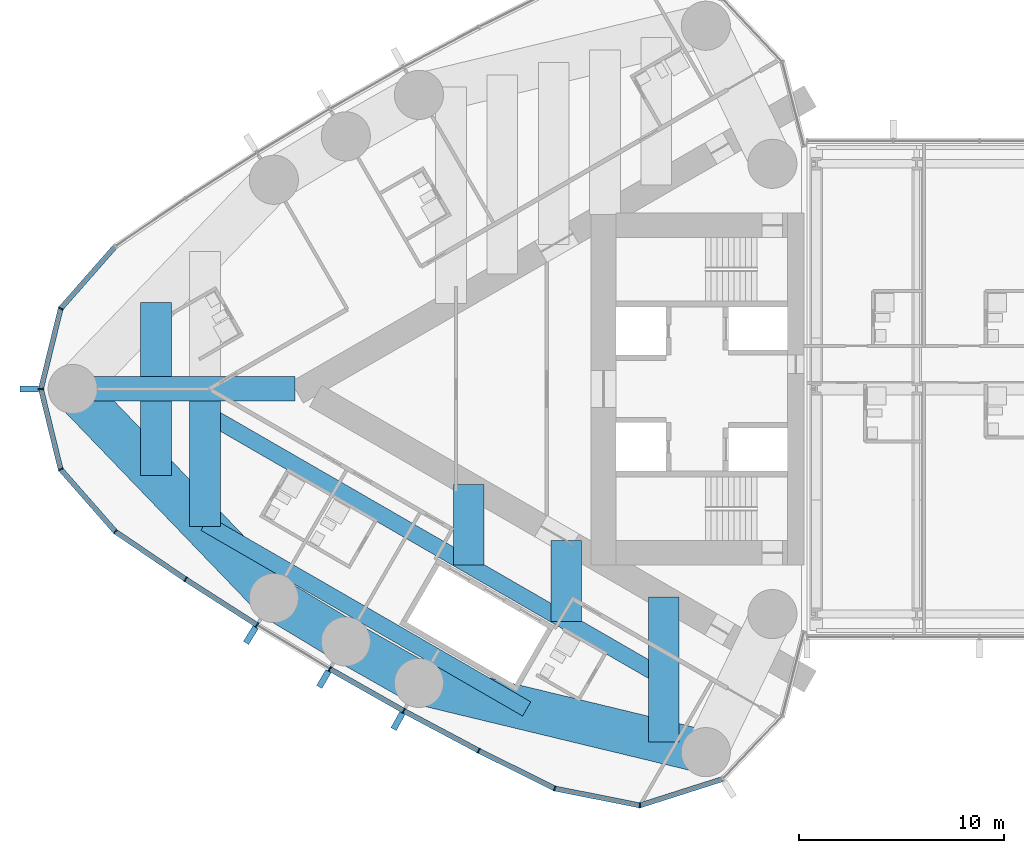
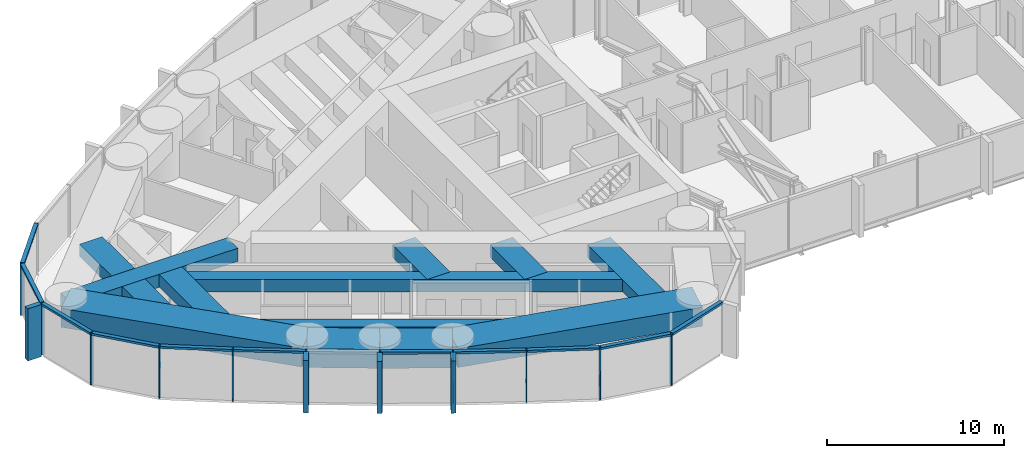
# One storey, part 2 of 22: 26 members, 13 beams, 1 element without a shape of its own.
"""IFC4 building model written with IfcOpenShell, lengths in metres."""

from ifc_helpers import new_model, si_unit, direction, frame, origin, origin_2d, place, context, subcontext, project, spatial, rectangle, hollow_rectangle, extrude, material, material_profile, profile_set, type_object, element, aggregate, save


model = new_model("IFC4")

# Units and contexts
model_context = context("Model", 3, precision=1e-05, world=origin(), true_north=direction((0.0, 1.0)))
body_context = subcontext(model_context, "Body", "Model", "MODEL_VIEW")
ifc_project = project(units=[si_unit("LENGTHUNIT", "METRE"), si_unit("AREAUNIT", "SQUARE_METRE"), si_unit("VOLUMEUNIT", "CUBIC_METRE"), si_unit("PLANEANGLEUNIT", "RADIAN"), si_unit("MASSUNIT", "GRAM", prefix="KILO")], contexts=[model_context])

# Site, building, storey
site_placement = place(None, origin())
site = spatial("IfcSite", under=ifc_project, at=site_placement, CompositionType="ELEMENT")
building_placement = place(site_placement, origin())
building = spatial("IfcBuilding", under=site, at=building_placement, Name="Lancet Gate Hotel", CompositionType="ELEMENT")
storey_placement = place(building_placement, frame((0.0, 0.0, 226.10009765625)))
storey = spatial("IfcBuildingStorey", under=building, at=storey_placement, Name="L60", CompositionType="ELEMENT", Elevation=226.10009765625)

# Curtain wall, members
ifc_material_1 = material(Name="Aluminium curtain wall", Category="aluminium")
curtain_wall_type = type_object("IfcCurtainWallType", Name="Tower unitised curtain wall", PredefinedType="USERDEFINED", material=ifc_material_1)
curtain_wall_placement = place(storey_placement, origin())
curtain_wall = element("IfcCurtainWall", 1, at=curtain_wall_placement, inside=storey, type_object=curtain_wall_type, Name="T1 L60 curtain wall 1", ObjectType="UNITISED CURTAIN WALL", PredefinedType="USERDEFINED")
ifc_material_2 = material(Name="Aluminium mullion", Category="aluminium")
ifc_material_profile_1 = material_profile(ifc_material_2, rectangle(XDim=0.06494140625, YDim=0.25, at=origin_2d()), Name="MULLION 65x250")
ifc_profile_set_1 = profile_set([ifc_material_profile_1], Name="Aluminium mullion")
member_type_1 = type_object("IfcMemberType", Name="Aluminium mullion 65x250", PredefinedType="MULLION", material=ifc_profile_set_1)
member_1_placement = place(storey_placement, frame((-63.822021484375, 3.928466796875, 0.0), z_axis=(0.0, 0.0, 1.0), x_axis=(-0.46217799743, -0.886787177789, 0.0)))
member_1 = element("IfcMember", 2, at=member_1_placement, type_object=member_type_1, Name="T1 L60 curtain wall 1 mullion 12", PredefinedType="MULLION", context=body_context, shape_type="SweptSolid", body=[
    extrude(rectangle(XDim=0.06494140625, YDim=0.25, at=origin_2d()), origin(), (0.0, 0.0, 1.0), 3.599853515625),
])
member_2_placement = place(storey_placement, frame((-64.7841796875, 0.0, 0.0), z_axis=(0.0, 0.0, 1.0), x_axis=(0.0, -1.0, 0.0)))
member_2 = element("IfcMember", 3, at=member_2_placement, type_object=member_type_1, Name="T1 L60 curtain wall 1 mullion 13", PredefinedType="MULLION", context=body_context, shape_type="SweptSolid", body=[
    extrude(rectangle(XDim=0.06494140625, YDim=0.25, at=origin_2d()), origin(), (0.0, 0.0, 1.0), 3.599853515625),
])
member_3_placement = place(storey_placement, frame((-63.822021484375, -3.928466796875, 0.0), z_axis=(0.0, 0.0, 1.0), x_axis=(0.46217799743, -0.886787177789, 0.0)))
member_3 = element("IfcMember", 4, at=member_3_placement, type_object=member_type_1, Name="T1 L60 curtain wall 1 mullion 14", PredefinedType="MULLION", context=body_context, shape_type="SweptSolid", body=[
    extrude(rectangle(XDim=0.06494140625, YDim=0.25, at=origin_2d()), origin(), (0.0, 0.0, 1.0), 3.599853515625),
])
member_4_placement = place(storey_placement, frame((-61.15283203125, -6.967529296875, 0.0), z_axis=(0.0, 0.0, 1.0), x_axis=(0.750715604757, -0.660625522345, 0.0)))
member_4 = element("IfcMember", 5, at=member_4_placement, type_object=member_type_1, Name="T1 L60 curtain wall 1 mullion 15", PredefinedType="MULLION", context=body_context, shape_type="SweptSolid", body=[
    extrude(rectangle(XDim=0.06494140625, YDim=0.25, at=origin_2d()), origin(), (0.0, 0.0, 1.0), 3.599853515625),
])
member_5_placement = place(storey_placement, frame((-57.72021484375, -9.298095703125, 0.0), z_axis=(0.0, 0.0, 1.0), x_axis=(0.834827178542, -0.550512108829, 0.0)))
member_5 = element("IfcMember", 6, at=member_5_placement, type_object=member_type_1, Name="T1 L60 curtain wall 1 mullion 16", PredefinedType="MULLION", context=body_context, shape_type="SweptSolid", body=[
    extrude(rectangle(XDim=0.06494140625, YDim=0.25, at=origin_2d()), origin(), (0.0, 0.0, 1.0), 3.599853515625),
])
member_6_placement = place(storey_placement, frame((-54.225830078125, -11.535400390625, 0.0), z_axis=(0.0, 0.0, 1.0), x_axis=(0.849342388216, -0.527842313176, 0.0)))
member_6 = element("IfcMember", 7, at=member_6_placement, type_object=member_type_1, Name="T1 L60 curtain wall 1 mullion 17", PredefinedType="MULLION", context=body_context, shape_type="SweptSolid", body=[
    extrude(rectangle(XDim=0.06494140625, YDim=0.25, at=origin_2d()), origin(), (0.0, 0.0, 1.0), 3.599853515625),
])
member_7_placement = place(storey_placement, frame((-50.67236328125, -13.677978515625, 0.0), z_axis=(0.0, 0.0, 1.0), x_axis=(0.863242155108, -0.504790037189, 0.0)))
member_7 = element("IfcMember", 8, at=member_7_placement, type_object=member_type_1, Name="T1 L60 curtain wall 1 mullion 18", PredefinedType="MULLION", context=body_context, shape_type="SweptSolid", body=[
    extrude(rectangle(XDim=0.06494140625, YDim=0.25, at=origin_2d()), origin(), (0.0, 0.0, 1.0), 3.599853515625),
])
member_8_placement = place(storey_placement, frame((-47.062744140625, -15.72412109375, 0.0), z_axis=(0.0, 0.0, 1.0), x_axis=(0.876516407283, -0.481371984815, 0.0)))
member_8 = element("IfcMember", 9, at=member_8_placement, type_object=member_type_1, Name="T1 L60 curtain wall 1 mullion 19", PredefinedType="MULLION", context=body_context, shape_type="SweptSolid", body=[
    extrude(rectangle(XDim=0.06494140625, YDim=0.25, at=origin_2d()), origin(), (0.0, 0.0, 1.0), 3.599853515625),
])
member_9_placement = place(storey_placement, frame((-43.3994140625, -17.67236328125, 0.0), z_axis=(0.0, 0.0, 1.0), x_axis=(0.889155526065, -0.457605125046, 0.0)))
member_9 = element("IfcMember", 10, at=member_9_placement, type_object=member_type_1, Name="T1 L60 curtain wall 1 mullion 20", PredefinedType="MULLION", context=body_context, shape_type="SweptSolid", body=[
    extrude(rectangle(XDim=0.06494140625, YDim=0.25, at=origin_2d()), origin(), (0.0, 0.0, 1.0), 3.599853515625),
])
member_10_placement = place(storey_placement, frame((-39.684814453125, -19.521240234375, 0.0), z_axis=(0.0, 0.0, 1.0), x_axis=(0.946887706423, -0.321564412561, 0.0)))
member_10 = element("IfcMember", 11, at=member_10_placement, type_object=member_type_1, Name="T1 L60 curtain wall 1 mullion 21", PredefinedType="MULLION", context=body_context, shape_type="SweptSolid", body=[
    extrude(rectangle(XDim=0.06494140625, YDim=0.25, at=origin_2d()), origin(), (0.0, 0.0, 1.0), 3.599853515625),
])
member_11_placement = place(storey_placement, frame((-35.520751953125, -20.347900390625, 0.0), z_axis=(0.0, 0.0, 1.0), x_axis=(0.998409168318, 0.056383797491, 0.0)))
member_11 = element("IfcMember", 12, at=member_11_placement, type_object=member_type_1, Name="T1 L60 curtain wall 1 mullion 22", PredefinedType="MULLION", context=body_context, shape_type="SweptSolid", body=[
    extrude(rectangle(XDim=0.06494140625, YDim=0.25, at=origin_2d()), origin(), (0.0, 0.0, 1.0), 3.599853515625),
])
ifc_material_3 = material(Name="Aluminium transom", Category="aluminium")
ifc_material_profile_2 = material_profile(ifc_material_3, rectangle(XDim=0.25, YDim=0.14990234375, at=origin_2d()), Name="TRANSOM 250x150")
ifc_profile_set_2 = profile_set([ifc_material_profile_2], Name="Aluminium transom")
member_type_2 = type_object("IfcMemberType", Name="Aluminium transom 250x150", PredefinedType="USERDEFINED", material=ifc_profile_set_2)
member_12_placement = place(storey_placement, frame((-61.17431640625, 6.943115234375, 3.52490234375), z_axis=(-0.659893258593, -0.751359359603, 0.0), x_axis=(0.751359359603, -0.659893258593, 0.0)))
member_12 = element("IfcMember", 13, at=member_12_placement, type_object=member_type_2, Name="T1 L60 curtain wall 1 transom 11", ObjectType="TRANSOM", PredefinedType="USERDEFINED", context=body_context, shape_type="SweptSolid", body=[
    extrude(rectangle(XDim=0.25, YDim=0.14990234375, at=origin_2d()), origin(), (0.0, 0.0, 1.0), 3.979736328125),
])
member_13_placement = place(storey_placement, frame((-63.829833984375, 3.89697265625, 3.52490234375), z_axis=(-0.237899438372, -0.971289790548, 0.0), x_axis=(0.971289790548, -0.237899438372, 0.0)))
member_13 = element("IfcMember", 14, at=member_13_placement, type_object=member_type_2, Name="T1 L60 curtain wall 1 transom 12", ObjectType="TRANSOM", PredefinedType="USERDEFINED", context=body_context, shape_type="SweptSolid", body=[
    extrude(rectangle(XDim=0.25, YDim=0.14990234375, at=origin_2d()), origin(), (0.0, 0.0, 1.0), 3.979736328125),
])
member_14_placement = place(storey_placement, frame((-64.776611328125, -0.031494140625, 3.52490234375), z_axis=(0.237899438372, -0.971289790548, 0.0), x_axis=(0.971289790548, 0.237899438372, 0.0)))
member_14 = element("IfcMember", 15, at=member_14_placement, type_object=member_type_2, Name="T1 L60 curtain wall 1 transom 13", ObjectType="TRANSOM", PredefinedType="USERDEFINED", context=body_context, shape_type="SweptSolid", body=[
    extrude(rectangle(XDim=0.25, YDim=0.14990234375, at=origin_2d()), origin(), (0.0, 0.0, 1.0), 3.979736328125),
])
member_15_placement = place(storey_placement, frame((-63.800537109375, -3.952880859375, 3.52490234375), z_axis=(0.659893258593, -0.751359359603, 0.0), x_axis=(0.751359359603, 0.659893258593, 0.0)))
member_15 = element("IfcMember", 16, at=member_15_placement, type_object=member_type_2, Name="T1 L60 curtain wall 1 transom 14", ObjectType="TRANSOM", PredefinedType="USERDEFINED", context=body_context, shape_type="SweptSolid", body=[
    extrude(rectangle(XDim=0.25, YDim=0.14990234375, at=origin_2d()), origin(), (0.0, 0.0, 1.0), 3.979736328125),
])
member_16_placement = place(storey_placement, frame((-61.1259765625, -6.98583984375, 3.52490234375), z_axis=(0.827348780456, -0.561688521761, 0.0), x_axis=(0.561688521761, 0.827348780456, 0.0)))
member_16 = element("IfcMember", 17, at=member_16_placement, type_object=member_type_2, Name="T1 L60 curtain wall 1 transom 15", ObjectType="TRANSOM", PredefinedType="USERDEFINED", context=body_context, shape_type="SweptSolid", body=[
    extrude(rectangle(XDim=0.25, YDim=0.14990234375, at=origin_2d()), origin(), (0.0, 0.0, 1.0), 4.083984375),
])
member_17_placement = place(storey_placement, frame((-57.692626953125, -9.315673828125, 3.52490234375), z_axis=(0.842144358733, -0.539252147937, 0.0), x_axis=(0.539252147937, 0.842144358733, 0.0)))
member_17 = element("IfcMember", 18, at=member_17_placement, type_object=member_type_2, Name="T1 L60 curtain wall 1 transom 16", ObjectType="TRANSOM", PredefinedType="USERDEFINED", context=body_context, shape_type="SweptSolid", body=[
    extrude(rectangle(XDim=0.25, YDim=0.14990234375, at=origin_2d()), origin(), (0.0, 0.0, 1.0), 4.084228515625),
])
member_18_placement = place(storey_placement, frame((-50.644287109375, -13.694091796875, 3.52490234375), z_axis=(0.869977740049, -0.493090997503, 0.0), x_axis=(0.493090997503, 0.869977740049, 0.0)))
member_18 = element("IfcMember", 19, at=member_18_placement, type_object=member_type_2, Name="T1 L60 curtain wall 1 transom 18", ObjectType="TRANSOM", PredefinedType="USERDEFINED", context=body_context, shape_type="SweptSolid", body=[
    extrude(rectangle(XDim=0.25, YDim=0.14990234375, at=origin_2d()), origin(), (0.0, 0.0, 1.0), 4.084228515625),
])
member_19_placement = place(storey_placement, frame((-47.0341796875, -15.739501953125, 3.52490234375), z_axis=(0.882944619844, -0.469477154171, 0.0), x_axis=(0.469477154171, 0.882944619844, 0.0)))
member_19 = element("IfcMember", 20, at=member_19_placement, type_object=member_type_2, Name="T1 L60 curtain wall 1 transom 19", ObjectType="TRANSOM", PredefinedType="USERDEFINED", context=body_context, shape_type="SweptSolid", body=[
    extrude(rectangle(XDim=0.25, YDim=0.14990234375, at=origin_2d()), origin(), (0.0, 0.0, 1.0), 4.084228515625),
])
member_20_placement = place(storey_placement, frame((-43.370361328125, -17.686767578125, 3.52490234375), z_axis=(0.895226720479, -0.445610950202, 0.0), x_axis=(0.445610950202, 0.895226720479, 0.0)))
member_20 = element("IfcMember", 21, at=member_20_placement, type_object=member_type_2, Name="T1 L60 curtain wall 1 transom 20", ObjectType="TRANSOM", PredefinedType="USERDEFINED", context=body_context, shape_type="SweptSolid", body=[
    extrude(rectangle(XDim=0.25, YDim=0.14990234375, at=origin_2d()), origin(), (0.0, 0.0, 1.0), 4.08447265625),
])
member_21_placement = place(storey_placement, frame((-39.65283203125, -19.527587890625, 3.52490234375), z_axis=(0.980858234867, -0.194723196085, 0.0), x_axis=(0.194723196085, 0.980858234867, 0.0)))
member_21 = element("IfcMember", 22, at=member_21_placement, type_object=member_type_2, Name="T1 L60 curtain wall 1 transom 21", ObjectType="TRANSOM", PredefinedType="USERDEFINED", context=body_context, shape_type="SweptSolid", body=[
    extrude(rectangle(XDim=0.25, YDim=0.14990234375, at=origin_2d()), origin(), (0.0, 0.0, 1.0), 4.18017578125),
])
member_22_placement = place(storey_placement, frame((-35.48974609375, -20.338134765625, 3.52490234375), z_axis=(0.952697713775, 0.303919506068, 0.0), x_axis=(-0.303919506068, 0.952697713775, 0.0)))
member_22 = element("IfcMember", 23, at=member_22_placement, type_object=member_type_2, Name="T1 L60 curtain wall 1 transom 22", ObjectType="TRANSOM", PredefinedType="USERDEFINED", context=body_context, shape_type="SweptSolid", body=[
    extrude(rectangle(XDim=0.25, YDim=0.14990234375, at=origin_2d()), origin(), (0.0, 0.0, 1.0), 4.180419921875),
])

# Beams
ifc_material_4 = material(Name="Concrete C50/60", Category="concrete")
ifc_material_profile_3 = material_profile(ifc_material_4, rectangle(XDim=2.10009765625, YDim=1.300048828125, at=origin_2d()), Name="RC 2100x1300")
ifc_profile_set_3 = profile_set([ifc_material_profile_3], Name="Concrete C50/60")
beam_type_1 = type_object("IfcBeamType", Name="Edge beam RC 2100x1300", PredefinedType="SPANDREL", material=ifc_profile_set_3)
beam_1_placement = place(storey_placement, frame((-63.234375, 0.0, 2.699951171875), z_axis=(0.693134527053, -0.720808245934, 0.0), x_axis=(0.720808245934, 0.693134527053, 0.0)))
element("IfcBeam", 24, at=beam_1_placement, inside=storey, type_object=beam_type_1, Name="T1 edge beam EB1 L60", PredefinedType="SPANDREL", context=body_context, shape_type="SweptSolid", body=[
    extrude(rectangle(XDim=2.10009765625, YDim=1.300048828125, at=origin_2d()), origin(), (0.0, 0.0, 1.0), 14.17724609375),
])
for number, where, z_axis, x_axis, name in (
    (25, (-53.40771484375, -10.218994140625, 2.699951171875), (0.856358061538, -0.516382484636, 0.0), (0.516382484636, 0.856358061538, 0.0), "T1 edge beam EB1 L60"),
    (26, (-49.89013671875, -12.340087890625, 2.699951171875), (0.869978841992, -0.493089053301, 0.0), (0.493089053301, 0.869978841992, 0.0), "T1 edge beam EB1 L60"),
):
    element("IfcBeam", number, at=place(storey_placement, frame(where, z_axis=z_axis, x_axis=x_axis)), inside=storey, type_object=beam_type_1, Name=name, PredefinedType="SPANDREL", context=body_context, shape_type="SweptSolid", body=[
        extrude(rectangle(XDim=2.10009765625, YDim=1.300048828125, at=origin_2d()), origin(), (0.0, 0.0, 1.0), 4.107666015625),
    ])
beam_2_placement = place(storey_placement, frame((-46.316650390625, -14.365478515625, 2.699951171875), z_axis=(0.972132796948, -0.234430853556, 0.0), x_axis=(0.234430853556, 0.972132796948, 0.0)))
element("IfcBeam", 27, at=beam_2_placement, inside=storey, type_object=beam_type_1, Name="T1 edge beam EB1 L60", PredefinedType="SPANDREL", context=body_context, shape_type="SweptSolid", body=[
    extrude(rectangle(XDim=2.10009765625, YDim=1.300048828125, at=origin_2d()), origin(), (0.0, 0.0, 1.0), 14.41748046875),
])

# Member
ifc_material_5 = material(Name="Precast concrete C50/60", Category="concrete")
ifc_material_profile_4 = material_profile(ifc_material_5, rectangle(XDim=0.300048828125, YDim=0.89990234375, at=origin_2d()), Name="FIN 300x900")
ifc_profile_set_4 = profile_set([ifc_material_profile_4], Name="Precast concrete C50/60")
member_type_3 = type_object("IfcMemberType", Name="Exposed concrete fin 300x900", PredefinedType="USERDEFINED", material=ifc_profile_set_4)
member_23_placement = place(storey_placement, frame((-65.359375, 0.0, 0.0), z_axis=(0.0, 0.0, 1.0), x_axis=(0.0, -1.0, 0.0)))
member_23 = element("IfcMember", 28, at=member_23_placement, type_object=member_type_3, Name="T1 L60 curtain wall 1 fin 13", ObjectType="FIN", PredefinedType="USERDEFINED", context=body_context, shape_type="SweptSolid", body=[
    extrude(rectangle(XDim=0.300048828125, YDim=0.89990234375, at=origin_2d()), origin(), (0.0, 0.0, 1.0), 3.599853515625),
])

member_24_placement = place(storey_placement, frame((-54.529296875, -12.02392578125, 0.0), z_axis=(0.0, 0.0, 1.0), x_axis=(0.849342388216, -0.527842313176, 0.0)))
member_24 = element("IfcMember", 29, at=member_24_placement, type_object=member_type_3, Name="T1 L60 curtain wall 1 fin 17", ObjectType="FIN", PredefinedType="USERDEFINED", context=body_context, shape_type="SweptSolid", body=[
    extrude(rectangle(XDim=0.300048828125, YDim=0.89990234375, at=origin_2d()), origin(), (0.0, 0.0, 1.0), 3.599853515625),
])

member_25_placement = place(storey_placement, frame((-50.962646484375, -14.17431640625, 0.0), z_axis=(0.0, 0.0, 1.0), x_axis=(0.863242155108, -0.504790037189, 0.0)))
member_25 = element("IfcMember", 30, at=member_25_placement, type_object=member_type_3, Name="T1 L60 curtain wall 1 fin 18", ObjectType="FIN", PredefinedType="USERDEFINED", context=body_context, shape_type="SweptSolid", body=[
    extrude(rectangle(XDim=0.300048828125, YDim=0.89990234375, at=origin_2d()), origin(), (0.0, 0.0, 1.0), 3.599853515625),
])

member_26_placement = place(storey_placement, frame((-47.339599609375, -16.22802734375, 0.0), z_axis=(0.0, 0.0, 1.0), x_axis=(0.876516407283, -0.481371984815, 0.0)))
member_26 = element("IfcMember", 31, at=member_26_placement, type_object=member_type_3, Name="T1 L60 curtain wall 1 fin 19", ObjectType="FIN", PredefinedType="USERDEFINED", context=body_context, shape_type="SweptSolid", body=[
    extrude(rectangle(XDim=0.300048828125, YDim=0.89990234375, at=origin_2d()), origin(), (0.0, 0.0, 1.0), 3.599853515625),
])

aggregate(curtain_wall, [member_1, member_2, member_23, member_3, member_4, member_5, member_6, member_24, member_7, member_25, member_8, member_26, member_9, member_10, member_11, member_12, member_13, member_14, member_15, member_16, member_17, member_18, member_19, member_20, member_21, member_22])

# Beams
ifc_material_6 = material(Name="Concrete C50/60", Category="concrete")
ifc_material_profile_5 = material_profile(ifc_material_6, rectangle(XDim=1.5, YDim=0.85009765625, at=origin_2d()), Name="RC 1500x850")
ifc_profile_set_5 = profile_set([ifc_material_profile_5], Name="Concrete C50/60")
beam_type_2 = type_object("IfcBeamType", Name="Floor beam RC 1500x850", PredefinedType="BEAM", material=ifc_profile_set_5)
beam_3_placement = place(storey_placement, frame((-34.353515625, -10.169921875, 2.9248046875), z_axis=(0.0, -1.0, 0.0), x_axis=(1.0, 0.0, 0.0)))
element("IfcBeam", 32, at=beam_3_placement, inside=storey, type_object=beam_type_2, Name="T1 floor beam F01N L60", PredefinedType="BEAM", context=body_context, shape_type="SweptSolid", body=[
    extrude(rectangle(XDim=1.5, YDim=0.85009765625, at=origin_2d()), origin(), (0.0, 0.0, 1.0), 7.08056640625),
])
beam_4_placement = place(storey_placement, frame((-56.768310546875, -0.60009765625, 2.9248046875), z_axis=(0.0, -1.0, 0.0), x_axis=(1.0, 0.0, 0.0)))
element("IfcBeam", 33, at=beam_4_placement, inside=storey, type_object=beam_type_2, Name="T1 floor beam F10N L60", PredefinedType="BEAM", context=body_context, shape_type="SweptSolid", body=[
    extrude(rectangle(XDim=1.5, YDim=0.85009765625, at=origin_2d()), origin(), (0.0, 0.0, 1.0), 6.1240234375),
])
for number, where, z_axis, x_axis, name in (
    (34, (-59.168212890625, 4.228271484375, 2.9248046875), (0.0, -1.0, 0.0), (1.0, 0.0, 0.0), "T1 floor beam F11S L60"),
    (35, (-59.168212890625, -0.60009765625, 2.9248046875), (0.0, -1.0, 0.0), (1.0, 0.0, 0.0), "T1 floor beam F12N L60"),
):
    element("IfcBeam", number, at=place(storey_placement, frame(where, z_axis=z_axis, x_axis=x_axis)), inside=storey, type_object=beam_type_2, Name=name, PredefinedType="BEAM", context=body_context, shape_type="SweptSolid", body=[
        extrude(rectangle(XDim=1.5, YDim=0.85009765625, at=origin_2d()), origin(), (0.0, 0.0, 1.0), 3.628173828125),
    ])
for number, where, z_axis, x_axis, name in (
    (36, (-39.122314453125, -7.41650390625, 2.9248046875), (0.0, -1.0, 0.0), (1.0, 0.0, 0.0), "T1 floor beam F04NA L60"),
    (37, (-43.891357421875, -4.663330078125, 2.9248046875), (0.0, -1.0, 0.0), (1.0, 0.0, 0.0), "T1 floor beam F07NA L60"),
):
    element("IfcBeam", number, at=place(storey_placement, frame(where, z_axis=z_axis, x_axis=x_axis)), inside=storey, type_object=beam_type_2, Name=name, PredefinedType="BEAM", context=body_context, shape_type="SweptSolid", body=[
        extrude(rectangle(XDim=1.5, YDim=0.85009765625, at=origin_2d()), origin(), (0.0, 0.0, 1.0), 3.945556640625),
    ])
ifc_material_7 = material(Name="Concrete C50/60", Category="concrete")
ifc_material_profile_6 = material_profile(ifc_material_7, rectangle(XDim=1.199951171875, YDim=0.89990234375, at=origin_2d()), Name="RC 1200x900")
ifc_profile_set_6 = profile_set([ifc_material_profile_6], Name="Concrete C50/60")
beam_type_3 = type_object("IfcBeamType", Name="Radial floor beam RC 1200x900", PredefinedType="BEAM", material=ifc_profile_set_6)
beam_5_placement = place(storey_placement, frame((-63.234375, 0.0, 2.89990234375), z_axis=(1.0, 0.0, 0.0), x_axis=(0.0, 1.0, 0.0)))
element("IfcBeam", 38, at=beam_5_placement, inside=storey, type_object=beam_type_3, Name="T1 radial beam CA L60", PredefinedType="BEAM", context=body_context, shape_type="SweptSolid", body=[
    extrude(rectangle(XDim=1.199951171875, YDim=0.89990234375, at=origin_2d()), origin(), (0.0, 0.0, 1.0), 10.8662109375),
])
ifc_material_8 = material(Name="Steel S460QL", Category="steel")
ifc_material_profile_7 = material_profile(ifc_material_8, hollow_rectangle(XDim=0.800048828125, YDim=0.85009765625, WallThickness=0.080078125, at=origin_2d()), Name="BOX 850x800x80")
ifc_profile_set_7 = profile_set([ifc_material_profile_7], Name="Steel S460QL")
beam_type_4 = type_object("IfcBeamType", Name="Trimmer beam BOX 850x800x80", PredefinedType="BEAM", material=ifc_profile_set_7)
beam_6_placement = place(storey_placement, frame((-34.353515625, -14.115234375, 2.9248046875), z_axis=(-0.866038088301, 0.499978029129, 0.0), x_axis=(-0.499978029129, -0.866038088301, 0.0)))
element("IfcBeam", 39, at=beam_6_placement, inside=storey, type_object=beam_type_4, Name="T1 trimmer beam TR01N L60", PredefinedType="BEAM", context=body_context, shape_type="SweptSolid", body=[
    extrude(hollow_rectangle(XDim=0.800048828125, YDim=0.85009765625, WallThickness=0.080078125, at=origin_2d()), origin(), (0.0, 0.0, 1.0), 25.882080078125),
])
beam_7_placement = place(storey_placement, frame((-41.05322265625, -15.634765625, 2.9248046875), z_axis=(-0.866039732055, 0.499975181887, 0.0), x_axis=(-0.499975181887, -0.866039732055, 0.0)))
element("IfcBeam", 40, at=beam_7_placement, inside=storey, type_object=beam_type_4, Name="T1 trimmer beam TR02N L60", PredefinedType="BEAM", context=body_context, shape_type="SweptSolid", body=[
    extrude(hollow_rectangle(XDim=0.800048828125, YDim=0.85009765625, WallThickness=0.080078125, at=origin_2d()), origin(), (0.0, 0.0, 1.0), 18.14599609375),
])

save(model, "model.ifc")
